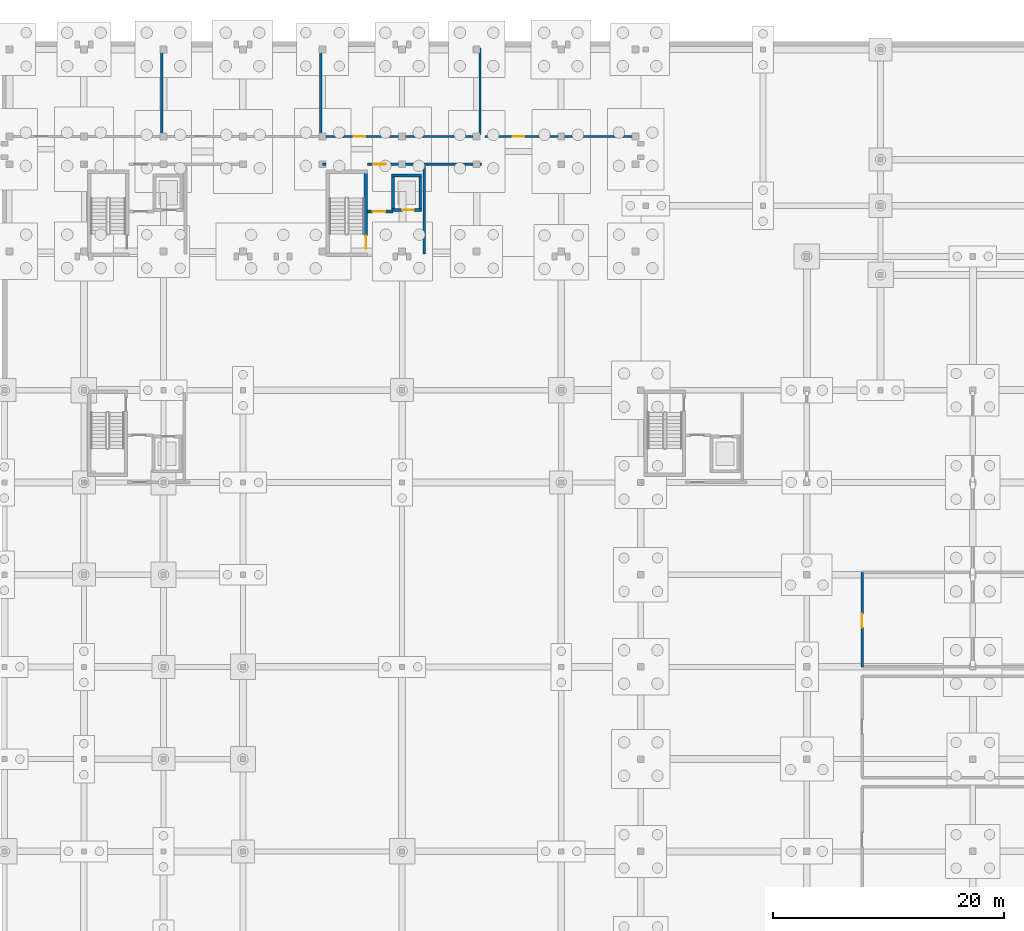
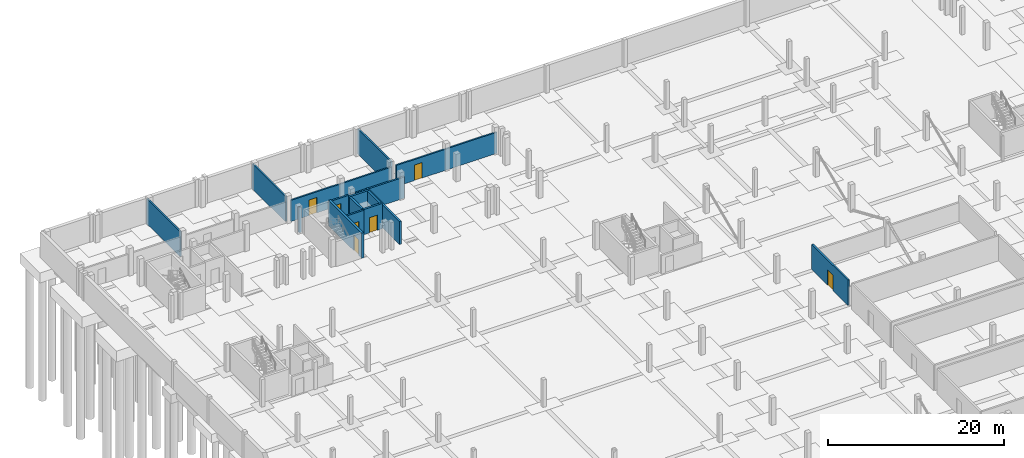
# One storey, part 22 of 38: 15 walls, 7 doors, 7 openings.
"""IFC4 building model written with IfcOpenShell, lengths in metres."""

from ifc_helpers import new_model, si_unit, direction, frame, frame_2d, origin, origin_with_axes, place, context, subcontext, project, spatial, rectangle, extrude, material, layer, layer_set, type_object, element, fill, save


model = new_model("IFC4")

# Units and contexts
model_context = context("Model", 3, precision=1e-05, world=origin(), true_north=direction((0.0, 1.0)))
body_context = subcontext(model_context, "Body", "Model", "MODEL_VIEW")
ifc_project = project(units=[si_unit("LENGTHUNIT", "METRE"), si_unit("AREAUNIT", "SQUARE_METRE"), si_unit("VOLUMEUNIT", "CUBIC_METRE"), si_unit("PLANEANGLEUNIT", "RADIAN"), si_unit("MASSUNIT", "GRAM", prefix="KILO")], contexts=[model_context])

# Site, building, storey
site_placement = place(None, origin())
site = spatial("IfcSite", under=ifc_project, at=site_placement, CompositionType="ELEMENT")
building_placement = place(site_placement, origin())
building = spatial("IfcBuilding", under=site, at=building_placement, Name="Zavelmont Quarter", CompositionType="ELEMENT")
storey_placement = place(building_placement, frame((0.0, 0.0, -3.800048828125)))
storey = spatial("IfcBuildingStorey", under=building, at=storey_placement, Name="B01", CompositionType="ELEMENT", Elevation=-3.800048828125)

# Walls
ifc_material_1 = material(Name="Calcium-silicate blockwork and acoustic plaster", Category="masonry")
ifc_layer_1 = layer(ifc_material_1, 0.199951171875)
ifc_layer_set_1 = layer_set([ifc_layer_1], Name="Calcium-silicate blockwork and acoustic plaster")
wall_type_1 = type_object("IfcWallType", Name="IW01", PredefinedType="PARTITIONING", material=ifc_layer_set_1)
for number, where, z_axis, x_axis, name in (
    (1, (13.64990234375, 108.199951171875, 0.0), (0.0, 0.0, 1.0), (0.0, 1.0, 0.0), "B01 Interior partition IW01"),
    (2, (27.449951171875, 108.199951171875, 0.0), (0.0, 0.0, 1.0), (0.0, 1.0, 0.0), "B01 Interior partition IW01"),
):
    element("IfcWall", number, at=place(storey_placement, frame(where, z_axis=z_axis, x_axis=x_axis)), inside=storey, type_object=wall_type_1, Name=name, PredefinedType="PARTITIONING", context=body_context, shape_type="SweptSolid", body=[
        extrude(rectangle(XDim=7.5, YDim=0.199951171875, at=frame_2d((3.75, 0.0))), origin(), (0.0, 0.0, 1.0), 3.47998046875),
    ])

# Wall, opening, door
wall_1_placement = place(storey_placement, frame((27.89990234375, 108.0, 0.0), z_axis=(0.0, 0.0, 1.0), x_axis=(1.0, 0.0, 0.0)))
wall_1 = element("IfcWall", 3, at=wall_1_placement, inside=storey, type_object=wall_type_1, Name="B01 Basement storage wall IW01", PredefinedType="PARTITIONING", context=body_context, shape_type="SweptSolid", body=[
    extrude(rectangle(XDim=13.2001953125, YDim=0.199951171875, at=frame_2d((6.60009765625, 0.0))), origin(), (0.0, 0.0, 1.0), 2.920166015625),
])
opening_1_placement = place(wall_1_placement, frame((2.39990234375, 0.0, 0.0)))
opening_1 = element("IfcOpeningElement", 4, at=opening_1_placement, cuts=wall_1, Name="Opening DR07", PredefinedType="OPENING", context=body_context, shape_type="SweptSolid", body=[
    extrude(rectangle(XDim=1.0, YDim=2.14990234375, at=frame_2d((0.5, 1.074951171875))), frame((0.0, 0.11181640625, 0.0), z_axis=(0.0, -1.0, 0.0), x_axis=(1.0, 0.0, 0.0)), (0.0, 0.0, 1.0), 0.223876953125),
])
ifc_material_2 = material(Name="Solid-core oak fire leaf in steel frame", Category="steel")
door_type_1 = type_object("IfcDoorType", Name="DR07", OperationType="NOTDEFINED", PredefinedType="DOOR", material=ifc_material_2)
door_1_placement = place(opening_1_placement, frame((1.0, 0.0, 0.0), z_axis=(0.0, 0.0, 1.0), x_axis=(-1.0, 0.0, 0.0)))
door_1 = element("IfcDoor", 5, at=door_1_placement, inside=storey, type_object=door_type_1, Name="B01 door DR07", OperationType="SINGLE_SWING_RIGHT", OverallHeight=2.14990234375, OverallWidth=1.0, PredefinedType="DOOR", context=body_context, shape_type="SweptSolid", body=[
    extrude(rectangle(XDim=1.0, YDim=2.14990234375, at=frame_2d((0.5, 1.074951171875))), frame((0.0, 0.02490234375, 0.0), z_axis=(0.0, -1.0, 0.0), x_axis=(1.0, 0.0, 0.0)), (0.0, 0.0, 1.0), 0.050048828125),
])
fill(opening_1, door_1)

# Wall
wall_2_placement = place(storey_placement, frame((41.25, 108.199951171875, 0.0), z_axis=(0.0, 0.0, 1.0), x_axis=(0.0, 1.0, 0.0)))
element("IfcWall", 6, at=wall_2_placement, inside=storey, type_object=wall_type_1, Name="B01 Interior partition IW01", PredefinedType="PARTITIONING", context=body_context, shape_type="SweptSolid", body=[
    extrude(rectangle(XDim=7.5, YDim=0.199951171875, at=frame_2d((3.75, 0.0))), origin(), (0.0, 0.0, 1.0), 3.47998046875),
])

# Wall, opening, door
wall_3_placement = place(storey_placement, frame((41.699951171875, 108.0, 0.0), z_axis=(0.0, 0.0, 1.0), x_axis=(1.0, 0.0, 0.0)))
wall_3 = element("IfcWall", 7, at=wall_3_placement, inside=storey, type_object=wall_type_1, Name="B01 Basement storage wall IW01", PredefinedType="PARTITIONING", context=body_context, shape_type="SweptSolid", body=[
    extrude(rectangle(XDim=13.199951171875, YDim=0.199951171875, at=frame_2d((6.60009765625, 0.0))), origin(), (0.0, 0.0, 1.0), 2.920166015625),
])
opening_2_placement = place(wall_3_placement, frame((2.39990234375, 0.0, 0.0)))
opening_2 = element("IfcOpeningElement", 8, at=opening_2_placement, cuts=wall_3, Name="Opening DR07", PredefinedType="OPENING", context=body_context, shape_type="SweptSolid", body=[
    extrude(rectangle(XDim=1.0, YDim=2.14990234375, at=frame_2d((0.5, 1.074951171875))), frame((0.0, 0.11181640625, 0.0), z_axis=(0.0, -1.0, 0.0), x_axis=(1.0, 0.0, 0.0)), (0.0, 0.0, 1.0), 0.223876953125),
])
door_2_placement = place(opening_2_placement, origin_with_axes())
door_2 = element("IfcDoor", 9, at=door_2_placement, inside=storey, type_object=door_type_1, Name="B01 door DR07", OperationType="SINGLE_SWING_RIGHT", OverallHeight=2.14990234375, OverallWidth=1.0, PredefinedType="DOOR", context=body_context, shape_type="SweptSolid", body=[
    extrude(rectangle(XDim=1.0, YDim=2.14990234375, at=frame_2d((0.5, 1.074951171875))), frame((0.0, 0.02490234375, 0.0), z_axis=(0.0, -1.0, 0.0), x_axis=(1.0, 0.0, 0.0)), (0.0, 0.0, 1.0), 0.050048828125),
])
fill(opening_2, door_2)

# Wall
ifc_material_3 = material(Name="Reinforced masonry fire compartment wall", Category="masonry")
ifc_layer_2 = layer(ifc_material_3, 0.22509765625)
ifc_layer_set_2 = layer_set([ifc_layer_2], Name="Reinforced masonry fire compartment wall")
wall_type_2 = type_object("IfcWallType", Name="IW02", PredefinedType="PARTITIONING", material=ifc_layer_set_2)
wall_4_placement = place(storey_placement, frame((36.409912109375, 97.800048828125, 0.0), z_axis=(0.0, 0.0, 1.0), x_axis=(0.0, 1.0, 0.0)))
element("IfcWall", 10, at=wall_4_placement, inside=storey, type_object=wall_type_2, Name="B01 Firefighting lobby enclosure wall IW02", PredefinedType="PARTITIONING", context=body_context, shape_type="SweptSolid", body=[
    extrude(rectangle(XDim=7.599853515625, YDim=0.22509765625, at=frame_2d((3.7998046875, 0.0))), origin(), (0.0, 0.0, 1.0), 3.18994140625),
])

# Wall, opening, door
wall_5_placement = place(storey_placement, frame((31.5, 101.5, 0.0), z_axis=(0.0, 0.0, 1.0), x_axis=(1.0, 0.0, 0.0)))
wall_5 = element("IfcWall", 11, at=wall_5_placement, inside=storey, type_object=wall_type_2, Name="B01 Firefighting lobby threshold wall IW02", PredefinedType="PARTITIONING", context=body_context, shape_type="SweptSolid", body=[
    extrude(rectangle(XDim=2.199951171875, YDim=0.22509765625, at=frame_2d((1.10009765625, 0.0))), origin(), (0.0, 0.0, 1.0), 3.47998046875),
])
opening_3_placement = place(wall_5_placement, frame((0.449951171875, 0.0, 0.0)))
opening_3 = element("IfcOpeningElement", 12, at=opening_3_placement, cuts=wall_5, Name="Opening DR10", PredefinedType="OPENING", context=body_context, shape_type="SweptSolid", body=[
    extrude(rectangle(XDim=1.10009765625, YDim=2.14990234375, at=frame_2d((0.550048828125, 1.074951171875))), frame((0.0, 0.12451171875, 0.0), z_axis=(0.0, -1.0, 0.0), x_axis=(1.0, 0.0, 0.0)), (0.0, 0.0, 1.0), 0.2490234375),
])
ifc_material_4 = material(Name="Painted steel lobby fire door", Category="steel")
door_type_2 = type_object("IfcDoorType", Name="DR10", OperationType="NOTDEFINED", PredefinedType="DOOR", material=ifc_material_4)
door_3_placement = place(opening_3_placement, frame((1.10009765625, 0.0, 0.0), z_axis=(0.0, 0.0, 1.0), x_axis=(-1.0, 0.0, 0.0)))
door_3 = element("IfcDoor", 13, at=door_3_placement, inside=storey, type_object=door_type_2, Name="Firefighting lobby fire door", OperationType="SINGLE_SWING_RIGHT", OverallHeight=2.14990234375, OverallWidth=1.10009765625, PredefinedType="DOOR", context=body_context, shape_type="SweptSolid", body=[
    extrude(rectangle(XDim=1.10009765625, YDim=2.14990234375, at=frame_2d((0.550048828125, 1.074951171875))), frame((0.0, 0.02490234375, 0.0), z_axis=(0.0, -1.0, 0.0), x_axis=(1.0, 0.0, 0.0)), (0.0, 0.0, 1.0), 0.050048828125),
])
fill(opening_3, door_3)

# Wall
wall_6_placement = place(storey_placement, frame((27.60009765625, 105.60009765625, 0.0), z_axis=(0.0, 0.0, 1.0), x_axis=(1.0, 0.0, 0.0)))
element("IfcWall", 14, at=wall_6_placement, inside=storey, type_object=wall_type_2, Name="B01 Core corridor wall IW02", PredefinedType="PARTITIONING", context=body_context, shape_type="SweptSolid", body=[
    extrude(rectangle(XDim=0.2998046875, YDim=0.22509765625, at=frame_2d((0.14990234375, 0.0))), origin(), (0.0, 0.0, 1.0), 3.47998046875),
])

# Wall, opening, door
wall_7_placement = place(storey_placement, frame((31.5, 105.60009765625, 0.0), z_axis=(0.0, 0.0, 1.0), x_axis=(1.0, 0.0, 0.0)))
wall_7 = element("IfcWall", 15, at=wall_7_placement, inside=storey, type_object=wall_type_2, Name="B01 Core corridor fire wall IW02", PredefinedType="PARTITIONING", context=body_context, shape_type="SweptSolid", body=[
    extrude(rectangle(XDim=9.89990234375, YDim=0.22509765625, at=frame_2d((4.949951171875, 0.0))), origin(), (0.0, 0.0, 1.0), 2.920166015625),
])
opening_4_placement = place(wall_7_placement, frame((0.47509765625, 0.0, 0.0)))
opening_4 = element("IfcOpeningElement", 16, at=opening_4_placement, cuts=wall_7, Name="Opening DR10", PredefinedType="OPENING", context=body_context, shape_type="SweptSolid", body=[
    extrude(rectangle(XDim=1.10009765625, YDim=2.14990234375, at=frame_2d((0.550048828125, 1.074951171875))), frame((0.0, 0.12451171875, 0.0), z_axis=(0.0, -1.0, 0.0), x_axis=(1.0, 0.0, 0.0)), (0.0, 0.0, 1.0), 0.2490234375),
])
door_4_placement = place(opening_4_placement, frame((1.10009765625, 0.0, 0.0), z_axis=(0.0, 0.0, 1.0), x_axis=(-1.0, 0.0, 0.0)))
door_4 = element("IfcDoor", 17, at=door_4_placement, inside=storey, type_object=door_type_2, Name="Core vestibule fire door", OperationType="SINGLE_SWING_LEFT", OverallHeight=2.14990234375, OverallWidth=1.10009765625, PredefinedType="DOOR", context=body_context, shape_type="SweptSolid", body=[
    extrude(rectangle(XDim=1.10009765625, YDim=2.14990234375, at=frame_2d((0.550048828125, 1.074951171875))), frame((0.0, 0.02490234375, 0.0), z_axis=(0.0, -1.0, 0.0), x_axis=(1.0, 0.0, 0.0)), (0.0, 0.0, 1.0), 0.050048828125),
])
fill(opening_4, door_4)

wall_8_placement = place(storey_placement, frame((74.39990234375, 62.0, 0.0), z_axis=(0.0, 0.0, 1.0), x_axis=(0.0, 1.0, 0.0)))
wall_8 = element("IfcWall", 18, at=wall_8_placement, inside=storey, type_object=wall_type_2, Name="B01 Main Electrical Switchroom W wall IW02", PredefinedType="PARTITIONING", context=body_context, shape_type="SweptSolid", body=[
    extrude(rectangle(XDim=8.199951171875, YDim=0.22509765625, at=frame_2d((4.10009765625, 0.0))), origin(), (0.0, 0.0, 1.0), 3.47998046875),
])
opening_5_placement = place(wall_8_placement, frame((3.39990234375, 0.0, 0.0)))
opening_5 = element("IfcOpeningElement", 19, at=opening_5_placement, cuts=wall_8, Name="Opening DR03", PredefinedType="OPENING", context=body_context, shape_type="SweptSolid", body=[
    extrude(rectangle(XDim=1.199951171875, YDim=2.14990234375, at=frame_2d((0.60009765625, 1.074951171875))), frame((0.0, 0.12451171875, 0.0), z_axis=(0.0, -1.0, 0.0), x_axis=(1.0, 0.0, 0.0)), (0.0, 0.0, 1.0), 0.2490234375),
])
ifc_material_5 = material(Name="Painted steel fire door", Category="steel")
door_type_3 = type_object("IfcDoorType", Name="DR03", OperationType="NOTDEFINED", PredefinedType="DOOR", material=ifc_material_5)
door_5_placement = place(opening_5_placement, origin_with_axes())
door_5 = element("IfcDoor", 20, at=door_5_placement, inside=storey, type_object=door_type_3, Name="B01 door DR03", OperationType="SINGLE_SWING_LEFT", OverallHeight=2.14990234375, OverallWidth=1.199951171875, PredefinedType="DOOR", context=body_context, shape_type="SweptSolid", body=[
    extrude(rectangle(XDim=1.199951171875, YDim=2.14990234375, at=frame_2d((0.60009765625, 1.074951171875))), frame((0.0, 0.02490234375, 0.0), z_axis=(0.0, -1.0, 0.0), x_axis=(1.0, 0.0, 0.0)), (0.0, 0.0, 1.0), 0.050048828125),
])
fill(opening_5, door_5)

ifc_material_6 = material(Name="Concrete C40/50", Category="concrete")
ifc_layer_3 = layer(ifc_material_6, 0.300048828125)
ifc_layer_set_3 = layer_set([ifc_layer_3], Name="Concrete C40/50")
wall_type_3 = type_object("IfcWallType", Name="SW01", PredefinedType="SHEAR", material=ifc_layer_set_3)
wall_9_placement = place(storey_placement, frame((31.35009765625, 97.60009765625, 0.0), z_axis=(0.0, 0.0, 1.0), x_axis=(0.0, 1.0, 0.0)))
wall_9 = element("IfcWall", 21, at=wall_9_placement, inside=storey, type_object=wall_type_3, Name="B01 ST04 lobby shear wall SW01", PredefinedType="SHEAR", context=body_context, shape_type="SweptSolid", body=[
    extrude(rectangle(XDim=7.5, YDim=0.300048828125, at=frame_2d((3.75, 0.0))), origin(), (0.0, 0.0, 1.0), 3.47998046875),
])
opening_6_placement = place(wall_9_placement, frame((0.64990234375, 0.0, 0.0)))
opening_6 = element("IfcOpeningElement", 22, at=opening_6_placement, cuts=wall_9, Name="Opening DR09", PredefinedType="OPENING", context=body_context, shape_type="SweptSolid", body=[
    extrude(rectangle(XDim=1.14990234375, YDim=2.14990234375, at=frame_2d((0.574951171875, 1.074951171875))), frame((0.0, 0.162109375, 0.0), z_axis=(0.0, -1.0, 0.0), x_axis=(1.0, 0.0, 0.0)), (0.0, 0.0, 1.0), 0.323974609375),
])
ifc_material_7 = material(Name="Painted steel stair-core fire door", Category="steel")
door_type_4 = type_object("IfcDoorType", Name="DR09", OperationType="NOTDEFINED", PredefinedType="DOOR", material=ifc_material_7)
door_6_placement = place(opening_6_placement, origin_with_axes())
door_6 = element("IfcDoor", 23, at=door_6_placement, inside=storey, type_object=door_type_4, Name="ST04 protected stair door", OperationType="SINGLE_SWING_RIGHT", OverallHeight=2.14990234375, OverallWidth=1.14990234375, PredefinedType="DOOR", context=body_context, shape_type="SweptSolid", body=[
    extrude(rectangle(XDim=1.14990234375, YDim=2.14990234375, at=frame_2d((0.574951171875, 1.074951171875))), frame((0.0, 0.02490234375, 0.0), z_axis=(0.0, -1.0, 0.0), x_axis=(1.0, 0.0, 0.0)), (0.0, 0.0, 1.0), 0.050048828125),
])
fill(opening_6, door_6)

ifc_layer_4 = layer(ifc_material_6, 0.25)
ifc_layer_set_4 = layer_set([ifc_layer_4], Name="Concrete C40/50")
wall_type_4 = type_object("IfcWallType", Name="SW02", PredefinedType="SHEAR", material=ifc_layer_set_4)
wall_10_placement = place(storey_placement, frame((33.60009765625, 101.625, 0.0), z_axis=(0.0, 0.0, 1.0), x_axis=(1.0, 0.0, 0.0)))
wall_10 = element("IfcWall", 24, at=wall_10_placement, inside=storey, type_object=wall_type_4, Name="B01 Lift LF04 landing shaft wall SW02", PredefinedType="SHEAR", context=body_context, shape_type="SweptSolid", body=[
    extrude(rectangle(XDim=2.599853515625, YDim=0.25, at=frame_2d((1.2998046875, 0.0))), origin(), (0.0, 0.0, 1.0), 3.47998046875),
])
opening_7_placement = place(wall_10_placement, frame((0.925048828125, 0.0, 0.0)))
opening_7 = element("IfcOpeningElement", 25, at=opening_7_placement, cuts=wall_10, Name="Opening LD01", PredefinedType="OPENING", context=body_context, shape_type="SweptSolid", body=[
    extrude(rectangle(XDim=1.0, YDim=2.10009765625, at=frame_2d((0.5, 1.050048828125))), frame((0.0, 0.136962890625, 0.0), z_axis=(0.0, -1.0, 0.0), x_axis=(1.0, 0.0, 0.0)), (0.0, 0.0, 1.0), 0.27392578125),
])
ifc_material_8 = material(Name="Brushed stainless-steel automatic sliding landing door", Category="steel")
door_type_5 = type_object("IfcDoorType", Name="LD01", OperationType="SLIDING_TO_LEFT", PredefinedType="DOOR", material=ifc_material_8)
door_7_placement = place(opening_7_placement, origin_with_axes())
door_7 = element("IfcDoor", 26, at=door_7_placement, inside=storey, type_object=door_type_5, Name="Lift LF04 sliding landing door", OperationType="SLIDING_TO_LEFT", OverallHeight=2.10009765625, OverallWidth=1.0, PredefinedType="DOOR", context=body_context, shape_type="SweptSolid", body=[
    extrude(rectangle(XDim=1.0, YDim=2.10009765625, at=frame_2d((0.5, 1.050048828125))), frame((0.0, 0.02490234375, 0.0), z_axis=(0.0, -1.0, 0.0), x_axis=(1.0, 0.0, 0.0)), (0.0, 0.0, 1.0), 0.050048828125),
])
fill(opening_7, door_7)

# Walls
wall_11_placement = place(storey_placement, frame((33.60009765625, 104.625, 0.0), z_axis=(0.0, 0.0, 1.0), x_axis=(1.0, 0.0, 0.0)))
element("IfcWall", 27, at=wall_11_placement, inside=storey, type_object=wall_type_4, Name="B01 Lift LF04 back shaft wall SW02", PredefinedType="SHEAR", context=body_context, shape_type="SweptSolid", body=[
    extrude(rectangle(XDim=2.599853515625, YDim=0.25, at=frame_2d((1.2998046875, 0.0))), origin(), (0.0, 0.0, 1.0), 3.47998046875),
])
for number, where, z_axis, x_axis, name in (
    (28, (33.72509765625, 101.5, 0.0), (0.0, 0.0, 1.0), (0.0, 1.0, 0.0), "B01 Lift LF04 west shaft wall SW02"),
    (29, (36.074951171875, 101.5, 0.0), (0.0, 0.0, 1.0), (0.0, 1.0, 0.0), "B01 Lift LF04 east shaft wall SW02"),
):
    element("IfcWall", number, at=place(storey_placement, frame(where, z_axis=z_axis, x_axis=x_axis)), inside=storey, type_object=wall_type_4, Name=name, PredefinedType="SHEAR", context=body_context, shape_type="SweptSolid", body=[
        extrude(rectangle(XDim=3.25, YDim=0.25, at=frame_2d((1.625, 0.0))), origin(), (0.0, 0.0, 1.0), 3.47998046875),
    ])

save(model, "model.ifc")
